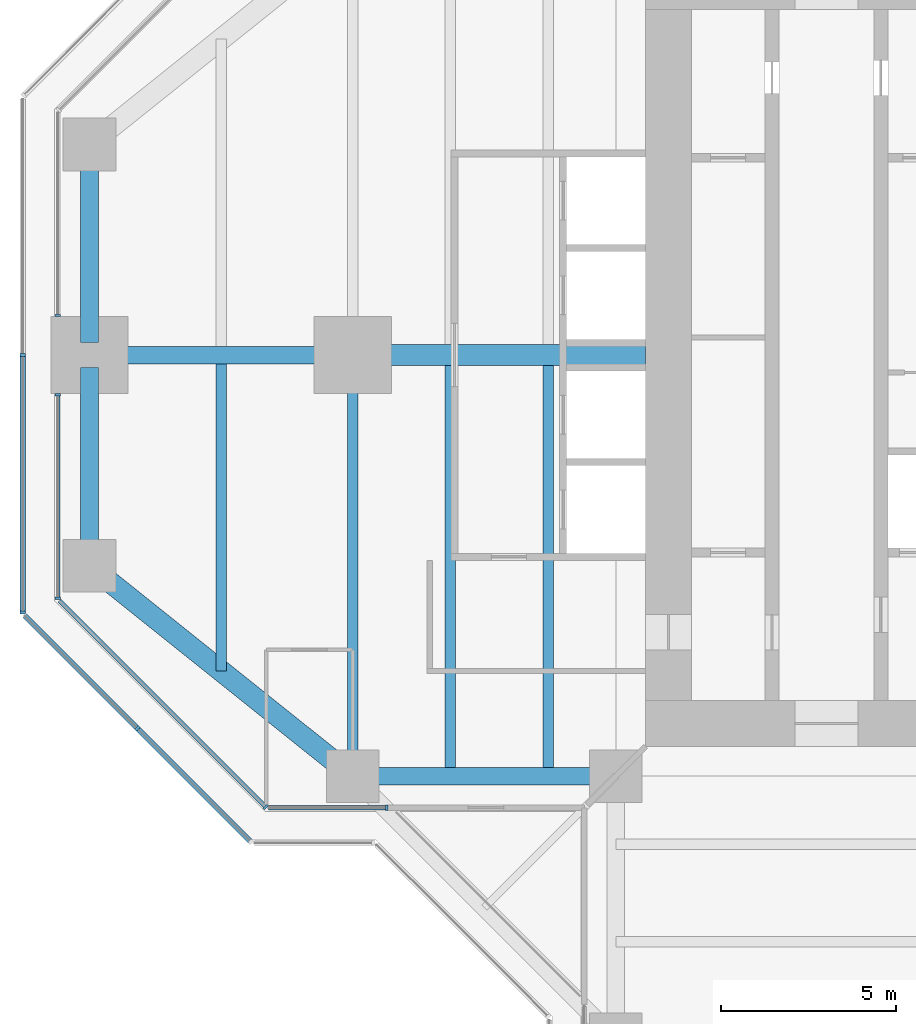
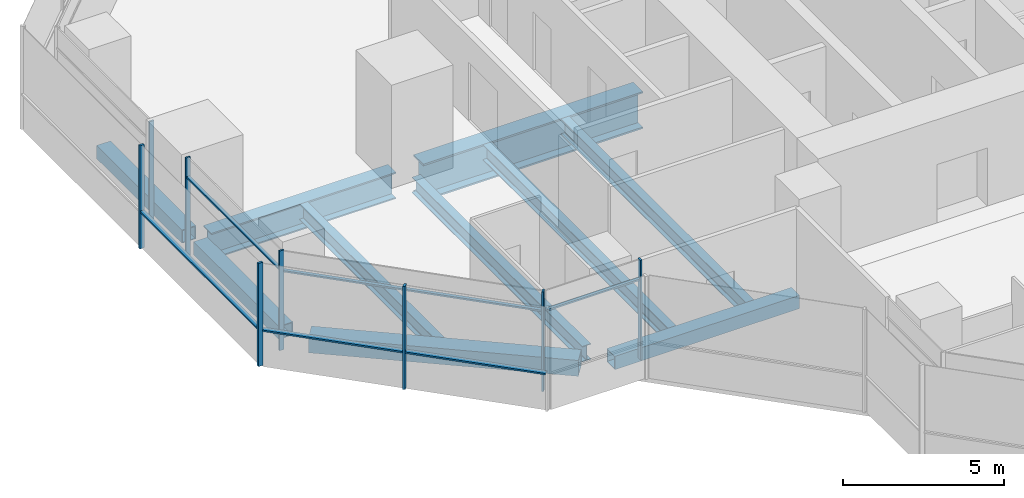
# One storey, part 3 of 17: 14 members, 10 beams, 6 elements without a shape of their own.
"""IFC4 building model written with IfcOpenShell, lengths in metres."""

from ifc_helpers import new_model, si_unit, direction, frame, origin, origin_2d, place, context, subcontext, project, spatial, rectangle, hollow_rectangle, i_section, extrude, material, material_profile, profile_set, type_object, element, aggregate, save


model = new_model("IFC4")

# Units and contexts
model_context = context("Model", 3, precision=1e-05, world=origin(), true_north=direction((0.0, 1.0)))
body_context = subcontext(model_context, "Body", "Model", "MODEL_VIEW")
ifc_project = project(units=[si_unit("LENGTHUNIT", "METRE"), si_unit("AREAUNIT", "SQUARE_METRE"), si_unit("VOLUMEUNIT", "CUBIC_METRE"), si_unit("PLANEANGLEUNIT", "RADIAN"), si_unit("MASSUNIT", "GRAM", prefix="KILO")], contexts=[model_context])

# Site, building, storey
site_placement = place(None, origin())
site = spatial("IfcSite", under=ifc_project, at=site_placement, CompositionType="ELEMENT")
building_placement = place(site_placement, origin())
building = spatial("IfcBuilding", under=site, at=building_placement, Name="Mizan Broadcast Tower", CompositionType="ELEMENT")
storey_placement = place(building_placement, frame((0.0, 0.0, 232.199951171875)))
storey = spatial("IfcBuildingStorey", under=building, at=storey_placement, Name="L54", CompositionType="ELEMENT", Elevation=232.199951171875)

# Beams
ifc_material_1 = material(Name="Steel S355", Category="steel")
ifc_material_profile_1 = material_profile(ifc_material_1, hollow_rectangle(XDim=0.5, YDim=0.5, WallThickness=0.030029296875, at=origin_2d()), Name="BOX 500x500x30")
ifc_profile_set_1 = profile_set([ifc_material_profile_1], Name="Steel S355")
beam_type_1 = type_object("IfcBeamType", Name="EDGE BEAM BOX 500x500x30", PredefinedType="SPANDREL", material=ifc_profile_set_1)
beam_1_placement = place(storey_placement, frame((-27.0, 5.639892578125, -0.3798828125), z_axis=(0.0, -1.0, 0.0), x_axis=(1.0, 0.0, 0.0)))
element("IfcBeam", 1, at=beam_1_placement, inside=storey, type_object=beam_type_1, Name="Edge beam BOX 500x500x30 L54 west arm", PredefinedType="SPANDREL", context=body_context, shape_type="SweptSolid", body=[
    extrude(hollow_rectangle(XDim=0.5, YDim=0.5, WallThickness=0.030029296875, at=origin_2d()), origin(), (0.0, 0.0, 1.0), 5.27978515625),
])
beam_2_placement = place(storey_placement, frame((-12.449951171875, -12.0, -0.3798828125), z_axis=(-1.0, 0.0, 0.0), x_axis=(0.0, -1.0, 0.0)))
element("IfcBeam", 2, at=beam_2_placement, inside=storey, type_object=beam_type_1, Name="Edge beam BOX 500x500x30 L54 west arm", PredefinedType="SPANDREL", context=body_context, shape_type="SweptSolid", body=[
    extrude(hollow_rectangle(XDim=0.5, YDim=0.5, WallThickness=0.030029296875, at=origin_2d()), origin(), (0.0, 0.0, 1.0), 6.60009765625),
])
beam_3_placement = place(storey_placement, frame((-27.0, -5.639892578125, -0.3798828125), z_axis=(0.0, 1.0, 0.0), x_axis=(-1.0, 0.0, 0.0)))
element("IfcBeam", 3, at=beam_3_placement, inside=storey, type_object=beam_type_1, Name="Edge beam BOX 500x500x30 L54 west arm", PredefinedType="SPANDREL", context=body_context, shape_type="SweptSolid", body=[
    extrude(hollow_rectangle(XDim=0.5, YDim=0.5, WallThickness=0.030029296875, at=origin_2d()), origin(), (0.0, 0.0, 1.0), 5.27978515625),
])
ifc_material_2 = material(Name="Steel S355", Category="steel")
ifc_material_profile_2 = material_profile(ifc_material_2, hollow_rectangle(XDim=0.60009765625, YDim=0.60009765625, WallThickness=0.030029296875, at=origin_2d()), Name="BOX 600x600x30")
ifc_profile_set_2 = profile_set([ifc_material_profile_2], Name="Steel S355")
beam_type_2 = type_object("IfcBeamType", Name="EDGE BEAM BOX 600x600x30", PredefinedType="SPANDREL", material=ifc_profile_set_2)
beam_4_placement = place(storey_placement, frame((-19.949951171875, -11.639892578125, -0.429931640625), z_axis=(-0.780885717636, 0.624673911726, 0.0), x_axis=(-0.624673911726, -0.780885717636, 0.0)))
element("IfcBeam", 4, at=beam_4_placement, inside=storey, type_object=beam_type_2, Name="Edge beam BOX 600x600x30 L54 west arm", PredefinedType="SPANDREL", context=body_context, shape_type="SweptSolid", body=[
    extrude(hollow_rectangle(XDim=0.60009765625, YDim=0.60009765625, WallThickness=0.030029296875, at=origin_2d()), origin(), (0.0, 0.0, 1.0), 8.4521484375),
])
ifc_material_3 = material(Name="Steel S355", Category="steel")
ifc_material_profile_3 = material_profile(ifc_material_3, i_section(OverallWidth=0.300048828125, OverallDepth=0.590087890625, WebThickness=0.012939453125, FlangeThickness=0.02490234375, FilletRadius=0.027099609375, at=origin_2d()), Name="HEA 600")
ifc_profile_set_3 = profile_set([ifc_material_profile_3], Name="Steel S355")
beam_type_3 = type_object("IfcBeamType", Name="GIRDER HEA 600", PredefinedType="BEAM", material=ifc_profile_set_3)
beam_5_placement = place(storey_placement, frame((-19.5, -11.280029296875, -0.425048828125), z_axis=(0.0, 1.0, 0.0), x_axis=(-1.0, 0.0, 0.0)))
element("IfcBeam", 5, at=beam_5_placement, inside=storey, type_object=beam_type_3, Name="Girder HEA 600 L54 west arm", PredefinedType="BEAM", context=body_context, shape_type="SweptSolid", body=[
    extrude(i_section(OverallWidth=0.300048828125, OverallDepth=0.590087890625, WebThickness=0.012939453125, FlangeThickness=0.02490234375, FilletRadius=0.027099609375, at=origin_2d()), origin(), (0.0, 0.0, 1.0), 10.56005859375),
])
ifc_material_4 = material(Name="Steel S460", Category="steel")
ifc_material_profile_4 = material_profile(ifc_material_4, i_section(OverallWidth=0.5, OverallDepth=1.0, WebThickness=0.02490234375, FlangeThickness=0.050048828125, at=origin_2d()), Name="WPG 1000x500")
ifc_profile_set_4 = profile_set([ifc_material_profile_4], Name="Steel S460")
beam_type_4 = type_object("IfcBeamType", Name="GIRDER WPG 1000x500", PredefinedType="BEAM", material=ifc_profile_set_4)
beam_6_placement = place(storey_placement, frame((-19.949951171875, 0.0, -0.6298828125), z_axis=(-1.0, 0.0, 0.0), x_axis=(0.0, -1.0, 0.0)))
element("IfcBeam", 6, at=beam_6_placement, inside=storey, type_object=beam_type_4, Name="Girder WPG 1000x500 L54 west arm", PredefinedType="BEAM", context=body_context, shape_type="SweptSolid", body=[
    extrude(i_section(OverallWidth=0.5, OverallDepth=1.0, WebThickness=0.02490234375, FlangeThickness=0.050048828125, at=origin_2d()), origin(), (0.0, 0.0, 1.0), 6.60009765625),
])
ifc_material_5 = material(Name="Steel S460", Category="steel")
ifc_material_profile_5 = material_profile(ifc_material_5, i_section(OverallWidth=0.60009765625, OverallDepth=1.39990234375, WebThickness=0.02490234375, FlangeThickness=0.06005859375, at=origin_2d()), Name="WPG 1400x600")
ifc_profile_set_5 = profile_set([ifc_material_profile_5], Name="Steel S460")
beam_type_5 = type_object("IfcBeamType", Name="GIRDER WPG 1400x600", PredefinedType="BEAM", material=ifc_profile_set_5)
beam_7_placement = place(storey_placement, frame((-11.14990234375, 0.0, -0.829833984375), z_axis=(-1.0, 0.0, 0.0), x_axis=(0.0, -1.0, 0.0)))
element("IfcBeam", 7, at=beam_7_placement, inside=storey, type_object=beam_type_5, Name="Girder WPG 1400x600 L54 west arm", PredefinedType="BEAM", context=body_context, shape_type="SweptSolid", body=[
    extrude(i_section(OverallWidth=0.60009765625, OverallDepth=1.39990234375, WebThickness=0.02490234375, FlangeThickness=0.06005859375, at=origin_2d()), origin(), (0.0, 0.0, 1.0), 7.84912109375),
])

# Curtain wall, member
ifc_material_6 = material(Name="Aluminium framed glazing", Category="aluminium")
curtain_wall_type_1 = type_object("IfcCurtainWallType", Name="INNER SKIN HIGH ZONE", PredefinedType="USERDEFINED", material=ifc_material_6)
curtain_wall_1_placement = place(storey_placement, origin())
curtain_wall_1 = element("IfcCurtainWall", 8, at=curtain_wall_1_placement, inside=storey, type_object=curtain_wall_type_1, Name="Inner skin high zone L54 W end", ObjectType="INNER SKIN HIGH ZONE", PredefinedType="USERDEFINED")
ifc_material_7 = material(Name="Aluminium, pale anodised", Category="aluminium")
ifc_material_profile_6 = material_profile(ifc_material_7, rectangle(XDim=0.159912109375, YDim=0.06005859375, at=origin_2d()), Name="MULLION 160x60")
ifc_profile_set_6 = profile_set([ifc_material_profile_6], Name="Aluminium, pale anodised")
member_type_1 = type_object("IfcMemberType", Name="INNER SKIN MULLION 60x160", PredefinedType="MULLION", material=ifc_profile_set_6)
member_1_placement = place(storey_placement, frame((-27.89990234375, 1.1298828125, 0.0), z_axis=(0.0, 0.0, 1.0), x_axis=(1.0, 0.0, 0.0)))
member_1 = element("IfcMember", 9, at=member_1_placement, type_object=member_type_1, Name="Inner skin high zone L54 W end mullion 2", PredefinedType="MULLION", context=body_context, shape_type="SweptSolid", body=[
    extrude(rectangle(XDim=0.159912109375, YDim=0.06005859375, at=origin_2d()), origin(), (0.0, 0.0, 1.0), 3.77001953125),
])
aggregate(curtain_wall_1, [member_1])

# Curtain wall, members
curtain_wall_2_placement = place(storey_placement, origin())
curtain_wall_2 = element("IfcCurtainWall", 10, at=curtain_wall_2_placement, inside=storey, type_object=curtain_wall_type_1, Name="Inner skin high zone L54 W end", ObjectType="INNER SKIN HIGH ZONE", PredefinedType="USERDEFINED")
member_2_placement = place(storey_placement, frame((-27.89990234375, -1.1298828125, 0.0), z_axis=(0.0, 0.0, 1.0), x_axis=(1.0, 0.0, 0.0)))
member_2 = element("IfcMember", 11, at=member_2_placement, type_object=member_type_1, Name="Inner skin high zone L54 W end mullion 1", PredefinedType="MULLION", context=body_context, shape_type="SweptSolid", body=[
    extrude(rectangle(XDim=0.159912109375, YDim=0.06005859375, at=origin_2d()), origin(), (0.0, 0.0, 1.0), 3.77001953125),
])
member_3_placement = place(storey_placement, frame((-27.89990234375, -6.928466796875, 0.0), z_axis=(0.0, 0.0, 1.0), x_axis=(1.0, 0.0, 0.0)))
member_3 = element("IfcMember", 12, at=member_3_placement, type_object=member_type_1, Name="Inner skin high zone L54 W end mullion 2", PredefinedType="MULLION", context=body_context, shape_type="SweptSolid", body=[
    extrude(rectangle(XDim=0.159912109375, YDim=0.06005859375, at=origin_2d()), origin(), (0.0, 0.0, 1.0), 3.77001953125),
])

# Curtain wall, member
curtain_wall_3_placement = place(storey_placement, origin())
curtain_wall_3 = element("IfcCurtainWall", 13, at=curtain_wall_3_placement, inside=storey, type_object=curtain_wall_type_1, Name="Inner skin high zone L54 W chamfer", ObjectType="INNER SKIN HIGH ZONE", PredefinedType="USERDEFINED")
member_4_placement = place(storey_placement, frame((-21.979736328125, -12.87890625, 0.0), z_axis=(0.0, 0.0, 1.0), x_axis=(0.707106781187, 0.707106781187, 0.0)))
member_4 = element("IfcMember", 14, at=member_4_placement, type_object=member_type_1, Name="Inner skin high zone L54 W chamfer mullion 2", PredefinedType="MULLION", context=body_context, shape_type="SweptSolid", body=[
    extrude(rectangle(XDim=0.159912109375, YDim=0.06005859375, at=origin_2d()), origin(), (0.0, 0.0, 1.0), 3.77001953125),
])

curtain_wall_4_placement = place(storey_placement, origin())
curtain_wall_4 = element("IfcCurtainWall", 15, at=curtain_wall_4_placement, inside=storey, type_object=curtain_wall_type_1, Name="Inner skin high zone L54 W side", ObjectType="INNER SKIN HIGH ZONE", PredefinedType="USERDEFINED")
member_5_placement = place(storey_placement, frame((-18.530029296875, -12.89990234375, 0.0), z_axis=(0.0, 0.0, 1.0), x_axis=(0.0, 1.0, 0.0)))
member_5 = element("IfcMember", 16, at=member_5_placement, type_object=member_type_1, Name="Inner skin high zone L54 W side mullion 2", PredefinedType="MULLION", context=body_context, shape_type="SweptSolid", body=[
    extrude(rectangle(XDim=0.159912109375, YDim=0.06005859375, at=origin_2d()), origin(), (0.0, 0.0, 1.0), 3.77001953125),
])

# Member
ifc_material_8 = material(Name="Aluminium, pale anodised", Category="aluminium")
ifc_material_profile_7 = material_profile(ifc_material_8, rectangle(XDim=0.1201171875, YDim=0.06005859375, at=origin_2d()), Name="TRANSOM 120x60")
ifc_profile_set_7 = profile_set([ifc_material_profile_7], Name="Aluminium, pale anodised")
member_type_2 = type_object("IfcMemberType", Name="INNER SKIN TRANSOM 60x120", PredefinedType="USERDEFINED", material=ifc_profile_set_7)
member_6_placement = place(storey_placement, frame((-27.89990234375, -1.159912109375, 3.030029296875), z_axis=(0.0, -1.0, 0.0), x_axis=(1.0, 0.0, 0.0)))
member_6 = element("IfcMember", 17, at=member_6_placement, type_object=member_type_2, Name="Inner skin high zone L54 W end transom 1.1", ObjectType="TRANSOM", PredefinedType="USERDEFINED", context=body_context, shape_type="SweptSolid", body=[
    extrude(rectangle(XDim=0.1201171875, YDim=0.06005859375, at=origin_2d()), origin(), (0.0, 0.0, 1.0), 5.73876953125),
])

aggregate(curtain_wall_2, [member_2, member_3, member_6])

member_7_placement = place(storey_placement, frame((-27.857666015625, -7.0009765625, 3.030029296875), z_axis=(0.707106781187, -0.707106781187, 0.0), x_axis=(0.707106781187, 0.707106781187, 0.0)))
member_7 = element("IfcMember", 18, at=member_7_placement, type_object=member_type_2, Name="Inner skin high zone L54 W chamfer transom 1.1", ObjectType="TRANSOM", PredefinedType="USERDEFINED", context=body_context, shape_type="SweptSolid", body=[
    extrude(rectangle(XDim=0.1201171875, YDim=0.06005859375, at=origin_2d()), origin(), (0.0, 0.0, 1.0), 8.28271484375),
])

aggregate(curtain_wall_3, [member_4, member_7])

member_8_placement = place(storey_placement, frame((-21.898681640625, -12.89990234375, 3.030029296875), z_axis=(1.0, 0.0, 0.0), x_axis=(0.0, 1.0, 0.0)))
member_8 = element("IfcMember", 19, at=member_8_placement, type_object=member_type_2, Name="Inner skin high zone L54 W side transom 1.1", ObjectType="TRANSOM", PredefinedType="USERDEFINED", context=body_context, shape_type="SweptSolid", body=[
    extrude(rectangle(XDim=0.1201171875, YDim=0.06005859375, at=origin_2d()), origin(), (0.0, 0.0, 1.0), 3.338623046875),
])

aggregate(curtain_wall_4, [member_5, member_8])

# Curtain wall, members
ifc_material_9 = material(Name="Aluminium framed glazing", Category="aluminium")
curtain_wall_type_2 = type_object("IfcCurtainWallType", Name="OUTER SKIN", PredefinedType="USERDEFINED", material=ifc_material_9)
curtain_wall_5_placement = place(storey_placement, origin())
curtain_wall_5 = element("IfcCurtainWall", 20, at=curtain_wall_5_placement, inside=storey, type_object=curtain_wall_type_2, Name="Outer skin L54 W end", ObjectType="OUTER SKIN", PredefinedType="USERDEFINED")
ifc_material_10 = material(Name="Aluminium, pale anodised", Category="aluminium")
ifc_material_profile_8 = material_profile(ifc_material_10, rectangle(XDim=0.159912109375, YDim=0.080078125, at=origin_2d()), Name="MULLION 160x80")
ifc_profile_set_8 = profile_set([ifc_material_profile_8], Name="Aluminium, pale anodised")
member_type_3 = type_object("IfcMemberType", Name="OUTER SKIN MULLION 80x160", PredefinedType="MULLION", material=ifc_profile_set_8)
member_9_placement = place(storey_placement, frame((-28.89990234375, 0.0, 0.0), z_axis=(0.0, 0.0, 1.0), x_axis=(1.0, 0.0, 0.0)))
member_9 = element("IfcMember", 21, at=member_9_placement, type_object=member_type_3, Name="Outer skin L54 W end mullion 2", PredefinedType="MULLION", context=body_context, shape_type="SweptSolid", body=[
    extrude(rectangle(XDim=0.159912109375, YDim=0.080078125, at=origin_2d()), origin(), (0.0, 0.0, 1.0), 3.900146484375),
])
member_10_placement = place(storey_placement, frame((-28.89990234375, -7.332763671875, 0.0), z_axis=(0.0, 0.0, 1.0), x_axis=(1.0, 0.0, 0.0)))
member_10 = element("IfcMember", 22, at=member_10_placement, type_object=member_type_3, Name="Outer skin L54 W end mullion 3", PredefinedType="MULLION", context=body_context, shape_type="SweptSolid", body=[
    extrude(rectangle(XDim=0.159912109375, YDim=0.080078125, at=origin_2d()), origin(), (0.0, 0.0, 1.0), 3.900146484375),
])

# Curtain wall, member
curtain_wall_6_placement = place(storey_placement, origin())
curtain_wall_6 = element("IfcCurtainWall", 23, at=curtain_wall_6_placement, inside=storey, type_object=curtain_wall_type_2, Name="Outer skin L54 W chamfer", ObjectType="OUTER SKIN", PredefinedType="USERDEFINED")
member_11_placement = place(storey_placement, frame((-25.636474609375, -10.636474609375, 0.0), z_axis=(0.0, 0.0, 1.0), x_axis=(0.707106781187, 0.707106781187, 0.0)))
member_11 = element("IfcMember", 24, at=member_11_placement, type_object=member_type_3, Name="Outer skin L54 W chamfer mullion 2", PredefinedType="MULLION", context=body_context, shape_type="SweptSolid", body=[
    extrude(rectangle(XDim=0.159912109375, YDim=0.080078125, at=origin_2d()), origin(), (0.0, 0.0, 1.0), 3.900146484375),
])

# Member
ifc_material_11 = material(Name="Aluminium, pale anodised", Category="aluminium")
ifc_material_profile_9 = material_profile(ifc_material_11, rectangle(XDim=0.159912109375, YDim=0.06005859375, at=origin_2d()), Name="TRANSOM 160x60")
ifc_profile_set_9 = profile_set([ifc_material_profile_9], Name="Aluminium, pale anodised")
member_type_4 = type_object("IfcMemberType", Name="OUTER SKIN TRANSOM 60x160", PredefinedType="USERDEFINED", material=ifc_profile_set_9)
member_12_placement = place(storey_placement, frame((-28.89990234375, -0.0400390625, 1.400146484375), z_axis=(0.0, -1.0, 0.0), x_axis=(1.0, 0.0, 0.0)))
member_12 = element("IfcMember", 25, at=member_12_placement, type_object=member_type_4, Name="Outer skin L54 W end transom 2.1", ObjectType="TRANSOM", PredefinedType="USERDEFINED", context=body_context, shape_type="SweptSolid", body=[
    extrude(rectangle(XDim=0.159912109375, YDim=0.06005859375, at=origin_2d()), origin(), (0.0, 0.0, 1.0), 7.252685546875),
])

aggregate(curtain_wall_5, [member_9, member_10, member_12])

member_13_placement = place(storey_placement, frame((-28.843505859375, -7.429443359375, 1.400146484375), z_axis=(0.707106781187, -0.707106781187, 0.0), x_axis=(0.707106781187, 0.707106781187, 0.0)))
member_13 = element("IfcMember", 26, at=member_13_placement, type_object=member_type_4, Name="Outer skin L54 W chamfer transom 1.1", ObjectType="TRANSOM", PredefinedType="USERDEFINED", context=body_context, shape_type="SweptSolid", body=[
    extrude(rectangle(XDim=0.159912109375, YDim=0.06005859375, at=origin_2d()), origin(), (0.0, 0.0, 1.0), 4.495361328125),
])

member_14_placement = place(storey_placement, frame((-25.608154296875, -10.664794921875, 1.400146484375), z_axis=(0.707106781187, -0.707106781187, 0.0), x_axis=(0.707106781187, 0.707106781187, 0.0)))
member_14 = element("IfcMember", 27, at=member_14_placement, type_object=member_type_4, Name="Outer skin L54 W chamfer transom 2.1", ObjectType="TRANSOM", PredefinedType="USERDEFINED", context=body_context, shape_type="SweptSolid", body=[
    extrude(rectangle(XDim=0.159912109375, YDim=0.06005859375, at=origin_2d()), origin(), (0.0, 0.0, 1.0), 4.495361328125),
])

aggregate(curtain_wall_6, [member_11, member_13, member_14])

# Beams
ifc_material_12 = material(Name="Steel S355", Category="steel")
ifc_material_profile_10 = material_profile(ifc_material_12, i_section(OverallWidth=0.300048828125, OverallDepth=0.590087890625, WebThickness=0.012939453125, FlangeThickness=0.02490234375, FilletRadius=0.027099609375, at=origin_2d()), Name="HEA 600")
ifc_profile_set_10 = profile_set([ifc_material_profile_10], Name="Steel S355")
beam_type_6 = type_object("IfcBeamType", Name="SECONDARY BEAM HEA 600", PredefinedType="JOIST", material=ifc_profile_set_10)
for number, where, z_axis, x_axis, name in (
    (28, (-13.933349609375, -12.0, -0.425048828125), (0.0, 1.0, 0.0), (-1.0, 0.0, 0.0), "Secondary beam HEA 600 L54 west arm"),
    (29, (-16.716552734375, -12.0, -0.425048828125), (0.0, 1.0, 0.0), (-1.0, 0.0, 0.0), "Secondary beam HEA 600 L54 west arm"),
):
    element("IfcBeam", number, at=place(storey_placement, frame(where, z_axis=z_axis, x_axis=x_axis)), inside=storey, type_object=beam_type_6, Name=name, PredefinedType="JOIST", context=body_context, shape_type="SweptSolid", body=[
        extrude(i_section(OverallWidth=0.300048828125, OverallDepth=0.590087890625, WebThickness=0.012939453125, FlangeThickness=0.02490234375, FilletRadius=0.027099609375, at=origin_2d()), origin(), (0.0, 0.0, 1.0), 11.699951171875),
    ])
beam_8_placement = place(storey_placement, frame((-23.25, -9.0, -0.425048828125), z_axis=(0.0, 1.0, 0.0), x_axis=(-1.0, 0.0, 0.0)))
element("IfcBeam", 30, at=beam_8_placement, inside=storey, type_object=beam_type_6, Name="Secondary beam HEA 600 L54 west arm", PredefinedType="JOIST", context=body_context, shape_type="SweptSolid", body=[
    extrude(i_section(OverallWidth=0.300048828125, OverallDepth=0.590087890625, WebThickness=0.012939453125, FlangeThickness=0.02490234375, FilletRadius=0.027099609375, at=origin_2d()), origin(), (0.0, 0.0, 1.0), 8.75),
])

save(model, "model.ifc")
